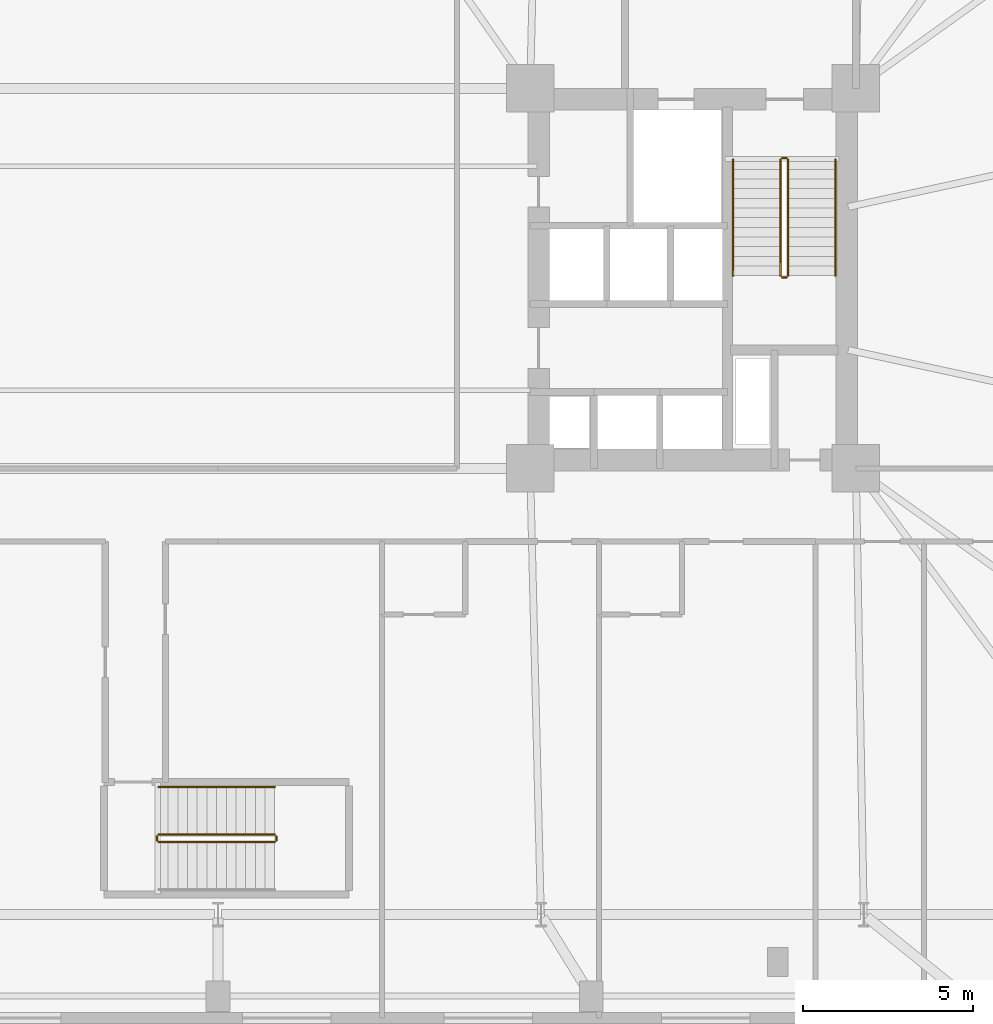
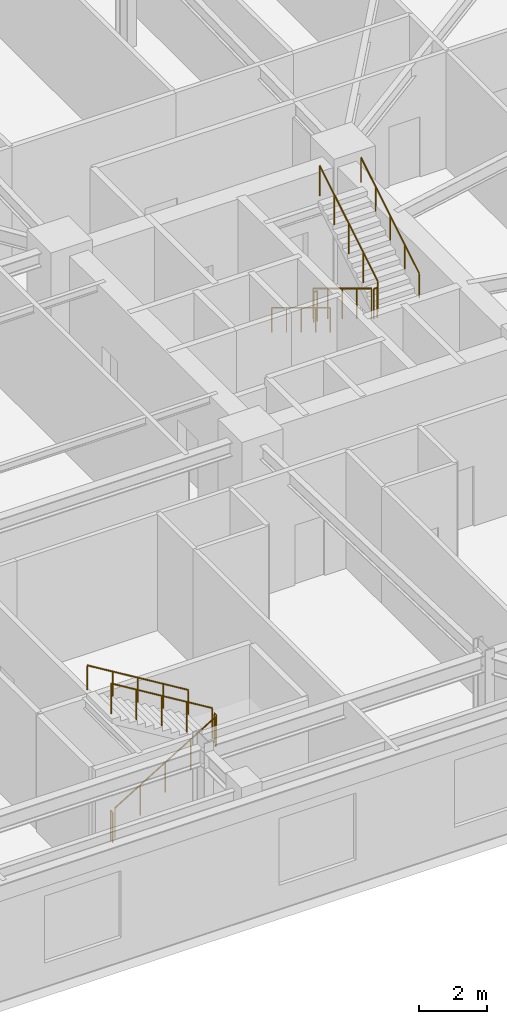
# One storey, part 20 of 21: 11 railings.
"""IFC4 building model written with IfcOpenShell, lengths in metres."""

import ifcopenshell
import ifcopenshell.guid

model = None  # the IFC model being written
_history = None  # IfcOwnerHistory: only IFC2X3 demands one
_inside = {}  # id of a spatial element -> (the spatial element, [elements in it])
_under = {}  # id of a project, library or spatial element -> (it, [spatial elements below it])
_declared = {}  # id of a project -> (the project, [libraries it declares])
_typed = {}  # id of a type object -> (the type object, [elements of that type])
_made_of = {}  # id of a material, layer set ... -> (it, [elements and type objects made of it])


def new_model(schema):
    """Start an empty IFC model of exactly this schema.

    Asked for "IFC4X3", IfcOpenShell would pick the latest addendum, in which some entities
    have other attributes; the version numbers below select the first issue.
    IFC2X3 requires an IfcOwnerHistory on every rooted entity: one is made here for all.
    """
    global model, _history
    if schema == "IFC4X3":
        model = ifcopenshell.file(schema_version=(4, 3, 0, 0))
    else:
        model = ifcopenshell.file(schema=schema)
    _inside.clear()
    _under.clear()
    _declared.clear()
    _typed.clear()
    _made_of.clear()
    _history = None
    if model.schema == "IFC2X3":
        org = make("IfcOrganization", Name="unknown")
        user = make(
            "IfcPersonAndOrganization",
            ThePerson=make("IfcPerson", FamilyName="unknown"),
            TheOrganization=org,
        )
        app = make(
            "IfcApplication",
            ApplicationDeveloper=org,
            Version="unknown",
            ApplicationFullName="unknown",
            ApplicationIdentifier="unknown",
        )
        _history = make(
            "IfcOwnerHistory",
            OwningUser=user,
            OwningApplication=app,
            ChangeAction="ADDED",
            CreationDate=0,
        )
    return model


def make(cls, **values):
    """One entity of the class cls with the attributes given. An attribute that is None is left unset."""
    return model.create_entity(
        cls, **{name: value for name, value in values.items() if value is not None}
    )


def rooted(cls, **values):
    """An entity with a GlobalId (a new one), such as an element, a storey or a relation."""
    return make(cls, GlobalId=ifcopenshell.guid.new(), OwnerHistory=_history, **values)


def si_unit(unit_type, name, prefix=None):
    """IfcSIUnit, for example si_unit("LENGTHUNIT", "METRE", prefix="MILLI")."""
    return make("IfcSIUnit", UnitType=unit_type, Prefix=prefix, Name=name)


def assignment(units):
    """IfcUnitAssignment: the units of a project."""
    return None if units is None else make("IfcUnitAssignment", Units=units)


def point(xyz):
    """IfcCartesianPoint."""
    return None if xyz is None else make("IfcCartesianPoint", Coordinates=xyz)


def direction(xyz):
    """IfcDirection."""
    return None if xyz is None else make("IfcDirection", DirectionRatios=xyz)


def frame(location, z_axis=None, x_axis=None):
    """IfcAxis2Placement3D, a coordinate frame: its origin and axes. An axis left out is left unset."""
    return make(
        "IfcAxis2Placement3D",
        Location=point(location),
        Axis=direction(z_axis),
        RefDirection=direction(x_axis),
    )


def frame_2d(location, x_axis=None):
    """IfcAxis2Placement2D, a coordinate frame in the plane: its origin and x axis."""
    return make(
        "IfcAxis2Placement2D", Location=point(location), RefDirection=direction(x_axis)
    )


def origin():
    """The frame at (0, 0, 0) with its axes left unset."""
    return frame((0.0, 0.0, 0.0))


def origin_2d():
    """The frame at (0, 0) in the plane with its x axis left unset."""
    return frame_2d((0.0, 0.0))


def place(relative_to, where):
    """IfcLocalPlacement: puts the frame where relative to a parent placement (None: the world)."""
    return make(
        "IfcLocalPlacement", PlacementRelTo=relative_to, RelativePlacement=where
    )


def context(
    kind, dimensions, precision=None, world=None, true_north=None, identifier=None
):
    """IfcGeometricRepresentationContext, for example the 3D "Model" context."""
    return make(
        "IfcGeometricRepresentationContext",
        ContextIdentifier=identifier,
        ContextType=kind,
        CoordinateSpaceDimension=dimensions,
        Precision=precision,
        WorldCoordinateSystem=world,
        TrueNorth=true_north,
    )


def subcontext(parent, identifier, kind, view, scale=None):
    """IfcGeometricRepresentationSubContext, for example "Body" below "Model"."""
    return make(
        "IfcGeometricRepresentationSubContext",
        ContextIdentifier=identifier,
        ContextType=kind,
        ParentContext=parent,
        TargetScale=scale,
        TargetView=view,
    )


def project(units=None, contexts=None):
    """IfcProject with its units and contexts."""
    return rooted(
        "IfcProject",
        Name="project",
        RepresentationContexts=contexts,
        UnitsInContext=assignment(units),
    )


def spatial(cls, under=None, at=None, **own):
    """A site, building, storey or space (cls), placed at a placement, below another one or the project."""
    s = rooted(cls, ObjectPlacement=at, **own)
    if under is not None:
        _under.setdefault(under.id(), (under, []))[1].append(s)
    return s


def profile(cls, at=None, kind="AREA", **sizes):
    """A parametric profile (cls). Its sizes go by their IFC names, for example OverallWidth=200.0."""
    return make(cls, ProfileType=kind, Position=at, **sizes)


def circle(**sizes):
    """IfcCircleProfileDef."""
    return profile("IfcCircleProfileDef", **sizes)


def extrude(swept, where, along, depth):
    """IfcExtrudedAreaSolid: the profile swept, set in the frame where, extruded along a direction by depth."""
    return make(
        "IfcExtrudedAreaSolid",
        SweptArea=swept,
        Position=where,
        ExtrudedDirection=direction(along),
        Depth=depth,
    )


def shape(context_of_items, identifier, shape_type, items):
    """IfcShapeRepresentation: the items that make up one representation, for example the "Body"."""
    return make(
        "IfcShapeRepresentation",
        ContextOfItems=context_of_items,
        RepresentationIdentifier=identifier,
        RepresentationType=shape_type,
        Items=items,
    )


def material(Name=None, Category=None):
    """IfcMaterial."""
    return make("IfcMaterial", Name=Name, Category=Category)


def made_of(thing, what):
    """Note that an element or type object is made of a material, layer set ...; save() writes the relation."""
    if what is not None:
        _made_of.setdefault(what.id(), (what, []))[1].append(thing)
    return thing


def type_object(cls, material=None, **own):
    """A type object (cls), such as IfcWallType, which elements share."""
    return made_of(rooted(cls, **own), material)


def element(
    cls,
    number,
    at=None,
    inside=None,
    cuts=None,
    type_object=None,
    material=None,
    context=None,
    identifier="Body",
    shape_type=None,
    held_by="IfcProductDefinitionShape",
    body=None,
    shapes=None,
    **own,
):
    """One element of the class cls, such as IfcWall. Its Tag is "e" and its number.

    at: its placement. inside: the storey or other place that contains it. cuts: it is an
    opening in that element (IfcRelVoidsElement). A single representation is given by context,
    identifier, shape_type and body (its items); several are given by shapes. held_by: the class
    of the entity that holds the representations. save() writes the other relations.
    """
    e = rooted(cls, Tag="e%d" % number, ObjectPlacement=at, **own)
    if body is not None:
        shapes = [shape(context, identifier, shape_type, body)]
    if shapes is not None:
        e.Representation = make(held_by, Representations=shapes)
    if inside is not None:
        _inside.setdefault(inside.id(), (inside, []))[1].append(e)
    if cuts is not None:
        rooted(
            "IfcRelVoidsElement", RelatingBuildingElement=cuts, RelatedOpeningElement=e
        )
    if type_object is not None:
        _typed.setdefault(type_object.id(), (type_object, []))[1].append(e)
    return made_of(e, material)


def aggregate(whole, parts):
    """IfcRelAggregates: a whole, such as a stair, and the parts it consists of."""
    return rooted("IfcRelAggregates", RelatingObject=whole, RelatedObjects=parts)


def save(model, path):
    """Write the relations noted so far, then the file.

    IfcRelAggregates (storeys below a building ...), IfcRelContainedInSpatialStructure (elements
    in a storey), IfcRelDefinesByType, IfcRelAssociatesMaterial and IfcRelDeclares: one each for
    every whole, place, type object, material and project.
    """
    for whole, parts in _under.values():
        aggregate(whole, parts)
    for where, things in _inside.values():
        rooted(
            "IfcRelContainedInSpatialStructure",
            RelatedElements=things,
            RelatingStructure=where,
        )
    for kind, things in _typed.values():
        rooted("IfcRelDefinesByType", RelatedObjects=things, RelatingType=kind)
    for what, things in _made_of.values():
        rooted("IfcRelAssociatesMaterial", RelatedObjects=things, RelatingMaterial=what)
    for by, libraries in _declared.values():
        rooted("IfcRelDeclares", RelatingContext=by, RelatedDefinitions=libraries)
    model.write(path)


model = new_model("IFC4")

# Units and contexts
model_context = context("Model", 3, precision=1e-05, world=origin(), true_north=direction((0.0, 1.0)))
body_context = subcontext(model_context, "Body", "Model", "MODEL_VIEW")
ifc_project = project(units=[si_unit("LENGTHUNIT", "METRE"), si_unit("AREAUNIT", "SQUARE_METRE"), si_unit("VOLUMEUNIT", "CUBIC_METRE"), si_unit("PLANEANGLEUNIT", "RADIAN"), si_unit("MASSUNIT", "GRAM", prefix="KILO")], contexts=[model_context])

# Site, building, storey
site_placement = place(None, origin())
site = spatial("IfcSite", under=ifc_project, at=site_placement, CompositionType="ELEMENT")
building_placement = place(site_placement, origin())
building = spatial("IfcBuilding", under=site, at=building_placement, Name="Qobustan Lattice House", CompositionType="ELEMENT")
storey_placement = place(building_placement, frame((0.0, 0.0, 18.0)))
storey = spatial("IfcBuildingStorey", under=building, at=storey_placement, Name="L04", CompositionType="ELEMENT", Elevation=18.0)

# Railings
ifc_material_1 = material(Name="Brushed stainless steel handrail", Category="steel")
railing_type_1 = type_object("IfcRailingType", Name="RAL-HR-920", PredefinedType="HANDRAIL", material=ifc_material_1)
railing_1_placement = place(storey_placement, frame((15.179931640625, 3.5, 0.173095703125)))
element("IfcRailing", 1, at=railing_1_placement, inside=storey, type_object=railing_type_1, Name="L04 ST-E1 stair handrail 1", PredefinedType="HANDRAIL", context=body_context, shape_type="SweptSolid", body=[
    extrude(circle(Radius=0.02392578125, at=origin_2d()), frame((0.0, 0.0, 0.8759765625), z_axis=(0.0, -0.854729506542, 0.519073665916), x_axis=(1.0, 0.0, 0.0)), (0.0, 0.0, 1.0), 4.001220703125),
    extrude(circle(Radius=0.02099609375, at=origin_2d()), origin(), (0.0, 0.0, 1.0), 0.851806640625),
    extrude(circle(Radius=0.02099609375, at=origin_2d()), frame((0.0, -0.85498046875, 0.519287109375)), (0.0, 0.0, 1.0), 0.851806640625),
    extrude(circle(Radius=0.02099609375, at=origin_2d()), frame((0.0, -1.7099609375, 1.03857421875)), (0.0, 0.0, 1.0), 0.851806640625),
    extrude(circle(Radius=0.02099609375, at=origin_2d()), frame((0.0, -2.56494140625, 1.5576171875)), (0.0, 0.0, 1.0), 0.851806640625),
    extrude(circle(Radius=0.02099609375, at=origin_2d()), frame((0.0, -3.419921875, 2.076904296875)), (0.0, 0.0, 1.0), 0.851806640625),
])
railing_2_placement = place(storey_placement, frame((18.199951171875, 0.080078125, 2.423095703125)))
element("IfcRailing", 2, at=railing_2_placement, inside=storey, type_object=railing_type_1, Name="L04 ST-E1 stair handrail 2", PredefinedType="HANDRAIL", context=body_context, shape_type="SweptSolid", body=[
    extrude(circle(Radius=0.02392578125, at=origin_2d()), frame((0.0, 0.0, 0.8759765625), z_axis=(0.0, 0.854729506542, 0.519073665916), x_axis=(-1.0, 0.0, 0.0)), (0.0, 0.0, 1.0), 4.001220703125),
    extrude(circle(Radius=0.02099609375, at=origin_2d()), origin(), (0.0, 0.0, 1.0), 0.851806640625),
    extrude(circle(Radius=0.02099609375, at=origin_2d()), frame((0.0, 0.85498046875, 0.519287109375)), (0.0, 0.0, 1.0), 0.851806640625),
    extrude(circle(Radius=0.02099609375, at=origin_2d()), frame((0.0, 1.7099609375, 1.03857421875)), (0.0, 0.0, 1.0), 0.851806640625),
    extrude(circle(Radius=0.02099609375, at=origin_2d()), frame((0.0, 2.56494140625, 1.5576171875)), (0.0, 0.0, 1.0), 0.851806640625),
    extrude(circle(Radius=0.02099609375, at=origin_2d()), frame((0.0, 3.419921875, 2.076904296875)), (0.0, 0.0, 1.0), 0.851806640625),
])
railing_3_placement = place(storey_placement, frame((1.669921875, -14.989990234375, 2.423095703125)))
element("IfcRailing", 3, at=railing_3_placement, inside=storey, type_object=railing_type_1, Name="L04 ST-P1 stair handrail 2", PredefinedType="HANDRAIL", context=body_context, shape_type="SweptSolid", body=[
    extrude(circle(Radius=0.02392578125, at=origin_2d()), frame((0.0, 0.0, 0.8759765625), z_axis=(-0.854729506542, 0.0, 0.519073665916), x_axis=(0.0, -1.0, 0.0)), (0.0, 0.0, 1.0), 4.001220703125),
    extrude(circle(Radius=0.02099609375, at=origin_2d()), origin(), (0.0, 0.0, 1.0), 0.851806640625),
    extrude(circle(Radius=0.02099609375, at=origin_2d()), frame((-0.85498046875, 0.0, 0.519287109375)), (0.0, 0.0, 1.0), 0.851806640625),
    extrude(circle(Radius=0.02099609375, at=origin_2d()), frame((-1.7099609375, 0.0, 1.03857421875)), (0.0, 0.0, 1.0), 0.851806640625),
    extrude(circle(Radius=0.02099609375, at=origin_2d()), frame((-2.56494140625, 0.0, 1.5576171875)), (0.0, 0.0, 1.0), 0.851806640625),
    extrude(circle(Radius=0.02099609375, at=origin_2d()), frame((-3.419921875, 0.0, 2.076904296875)), (0.0, 0.0, 1.0), 0.851806640625),
])
ifc_material_2 = material(Name="Painted galvanized steel guardrail", Category="steel")
railing_type_2 = type_object("IfcRailingType", Name="RAL-STG-1150", PredefinedType="GUARDRAIL", material=ifc_material_2)
railing_4_placement = place(storey_placement, frame((16.580078125, 3.5, 0.173095703125)))
element("IfcRailing", 4, at=railing_4_placement, inside=storey, type_object=railing_type_2, Name="L04 ST-E1 stair guard 1", PredefinedType="GUARDRAIL", context=body_context, shape_type="SweptSolid", body=[
    extrude(circle(Radius=0.02392578125, at=origin_2d()), frame((0.0, 0.0, 1.076171875), z_axis=(0.0, -0.854729506542, 0.519073665916), x_axis=(1.0, 0.0, 0.0)), (0.0, 0.0, 1.0), 4.001220703125),
    extrude(circle(Radius=0.02099609375, at=origin_2d()), origin(), (0.0, 0.0, 1.0), 1.052001953125),
    extrude(circle(Radius=0.02099609375, at=origin_2d()), frame((0.0, -0.85498046875, 0.519287109375)), (0.0, 0.0, 1.0), 1.052001953125),
    extrude(circle(Radius=0.02099609375, at=origin_2d()), frame((0.0, -1.7099609375, 1.03857421875)), (0.0, 0.0, 1.0), 1.052001953125),
    extrude(circle(Radius=0.02099609375, at=origin_2d()), frame((0.0, -2.56494140625, 1.5576171875)), (0.0, 0.0, 1.0), 1.052001953125),
    extrude(circle(Radius=0.02099609375, at=origin_2d()), frame((0.0, -3.419921875, 2.076904296875)), (0.0, 0.0, 1.0), 1.052001953125),
])
railing_5_placement = place(storey_placement, frame((16.6298828125, 0.030029296875, 2.25)))
element("IfcRailing", 5, at=railing_5_placement, inside=storey, type_object=railing_type_2, Name="L04 ST-E1 stair guard 2", PredefinedType="GUARDRAIL", context=body_context, shape_type="SweptSolid", body=[
    extrude(circle(Radius=0.02392578125, at=origin_2d()), frame((0.0, 0.0, 1.076171875), z_axis=(1.0, 0.0, 0.0), x_axis=(0.0, 1.0, 0.0)), (0.0, 0.0, 1.0), 0.1201171875),
    extrude(circle(Radius=0.02099609375, at=origin_2d()), origin(), (0.0, 0.0, 1.0), 1.052001953125),
    extrude(circle(Radius=0.02099609375, at=origin_2d()), frame((0.1201171875, 0.0, 0.0)), (0.0, 0.0, 1.0), 1.052001953125),
])
railing_6_placement = place(storey_placement, frame((16.800048828125, 0.080078125, 2.423095703125)))
element("IfcRailing", 6, at=railing_6_placement, inside=storey, type_object=railing_type_2, Name="L04 ST-E1 stair guard 3", PredefinedType="GUARDRAIL", context=body_context, shape_type="SweptSolid", body=[
    extrude(circle(Radius=0.02392578125, at=origin_2d()), frame((0.0, 0.0, 1.076171875), z_axis=(0.0, 0.854729506542, 0.519073665916), x_axis=(-1.0, 0.0, 0.0)), (0.0, 0.0, 1.0), 4.001220703125),
    extrude(circle(Radius=0.02099609375, at=origin_2d()), origin(), (0.0, 0.0, 1.0), 1.052001953125),
    extrude(circle(Radius=0.02099609375, at=origin_2d()), frame((0.0, 0.85498046875, 0.519287109375)), (0.0, 0.0, 1.0), 1.052001953125),
    extrude(circle(Radius=0.02099609375, at=origin_2d()), frame((0.0, 1.7099609375, 1.03857421875)), (0.0, 0.0, 1.0), 1.052001953125),
    extrude(circle(Radius=0.02099609375, at=origin_2d()), frame((0.0, 2.56494140625, 1.5576171875)), (0.0, 0.0, 1.0), 1.052001953125),
    extrude(circle(Radius=0.02099609375, at=origin_2d()), frame((0.0, 3.419921875, 2.076904296875)), (0.0, 0.0, 1.0), 1.052001953125),
])
railing_7_placement = place(storey_placement, frame((16.6298828125, 3.550048828125, 0.0)))
element("IfcRailing", 7, at=railing_7_placement, inside=storey, type_object=railing_type_2, Name="L04 ST-E1 stair guard 4", PredefinedType="GUARDRAIL", context=body_context, shape_type="SweptSolid", body=[
    extrude(circle(Radius=0.02392578125, at=origin_2d()), frame((0.0, 0.0, 1.076171875), z_axis=(1.0, 0.0, 0.0), x_axis=(0.0, 1.0, 0.0)), (0.0, 0.0, 1.0), 0.1201171875),
    extrude(circle(Radius=0.02099609375, at=origin_2d()), origin(), (0.0, 0.0, 1.0), 1.052001953125),
    extrude(circle(Radius=0.02099609375, at=origin_2d()), frame((0.1201171875, 0.0, 0.0)), (0.0, 0.0, 1.0), 1.052001953125),
])
railing_8_placement = place(storey_placement, frame((-1.75, -16.610107421875, 0.173095703125)))
element("IfcRailing", 8, at=railing_8_placement, inside=storey, type_object=railing_type_2, Name="L04 ST-P1 stair guard 1", PredefinedType="GUARDRAIL", context=body_context, shape_type="SweptSolid", body=[
    extrude(circle(Radius=0.02392578125, at=origin_2d()), frame((0.0, 0.0, 1.076171875), z_axis=(0.854729506542, 0.0, 0.519073665916), x_axis=(0.0, 1.0, 0.0)), (0.0, 0.0, 1.0), 4.001220703125),
    extrude(circle(Radius=0.02099609375, at=origin_2d()), origin(), (0.0, 0.0, 1.0), 1.052001953125),
    extrude(circle(Radius=0.02099609375, at=origin_2d()), frame((0.85498046875, 0.0, 0.519287109375)), (0.0, 0.0, 1.0), 1.052001953125),
    extrude(circle(Radius=0.02099609375, at=origin_2d()), frame((1.7099609375, 0.0, 1.03857421875)), (0.0, 0.0, 1.0), 1.052001953125),
    extrude(circle(Radius=0.02099609375, at=origin_2d()), frame((2.56494140625, 0.0, 1.5576171875)), (0.0, 0.0, 1.0), 1.052001953125),
    extrude(circle(Radius=0.02099609375, at=origin_2d()), frame((3.419921875, 0.0, 2.076904296875)), (0.0, 0.0, 1.0), 1.052001953125),
])
railing_9_placement = place(storey_placement, frame((1.719970703125, -16.56005859375, 2.25)))
element("IfcRailing", 9, at=railing_9_placement, inside=storey, type_object=railing_type_2, Name="L04 ST-P1 stair guard 2", PredefinedType="GUARDRAIL", context=body_context, shape_type="SweptSolid", body=[
    extrude(circle(Radius=0.02392578125, at=origin_2d()), frame((0.0, 0.0, 1.076171875), z_axis=(0.0, 1.0, 0.0), x_axis=(-1.0, 0.0, 0.0)), (0.0, 0.0, 1.0), 0.1201171875),
    extrude(circle(Radius=0.02099609375, at=origin_2d()), origin(), (0.0, 0.0, 1.0), 1.052001953125),
    extrude(circle(Radius=0.02099609375, at=origin_2d()), frame((0.0, 0.1201171875, 0.0)), (0.0, 0.0, 1.0), 1.052001953125),
])
railing_10_placement = place(storey_placement, frame((1.669921875, -16.389892578125, 2.423095703125)))
element("IfcRailing", 10, at=railing_10_placement, inside=storey, type_object=railing_type_2, Name="L04 ST-P1 stair guard 3", PredefinedType="GUARDRAIL", context=body_context, shape_type="SweptSolid", body=[
    extrude(circle(Radius=0.02392578125, at=origin_2d()), frame((0.0, 0.0, 1.076171875), z_axis=(-0.854729506542, 0.0, 0.519073665916), x_axis=(0.0, -1.0, 0.0)), (0.0, 0.0, 1.0), 4.001220703125),
    extrude(circle(Radius=0.02099609375, at=origin_2d()), origin(), (0.0, 0.0, 1.0), 1.052001953125),
    extrude(circle(Radius=0.02099609375, at=origin_2d()), frame((-0.85498046875, 0.0, 0.519287109375)), (0.0, 0.0, 1.0), 1.052001953125),
    extrude(circle(Radius=0.02099609375, at=origin_2d()), frame((-1.7099609375, 0.0, 1.03857421875)), (0.0, 0.0, 1.0), 1.052001953125),
    extrude(circle(Radius=0.02099609375, at=origin_2d()), frame((-2.56494140625, 0.0, 1.5576171875)), (0.0, 0.0, 1.0), 1.052001953125),
    extrude(circle(Radius=0.02099609375, at=origin_2d()), frame((-3.419921875, 0.0, 2.076904296875)), (0.0, 0.0, 1.0), 1.052001953125),
])
railing_11_placement = place(storey_placement, frame((-1.800048828125, -16.56005859375, 0.0)))
element("IfcRailing", 11, at=railing_11_placement, inside=storey, type_object=railing_type_2, Name="L04 ST-P1 stair guard 4", PredefinedType="GUARDRAIL", context=body_context, shape_type="SweptSolid", body=[
    extrude(circle(Radius=0.02392578125, at=origin_2d()), frame((0.0, 0.0, 1.076171875), z_axis=(0.0, 1.0, 0.0), x_axis=(-1.0, 0.0, 0.0)), (0.0, 0.0, 1.0), 0.1201171875),
    extrude(circle(Radius=0.02099609375, at=origin_2d()), origin(), (0.0, 0.0, 1.0), 1.052001953125),
    extrude(circle(Radius=0.02099609375, at=origin_2d()), frame((0.0, 0.1201171875, 0.0)), (0.0, 0.0, 1.0), 1.052001953125),
])

save(model, "model.ifc")
